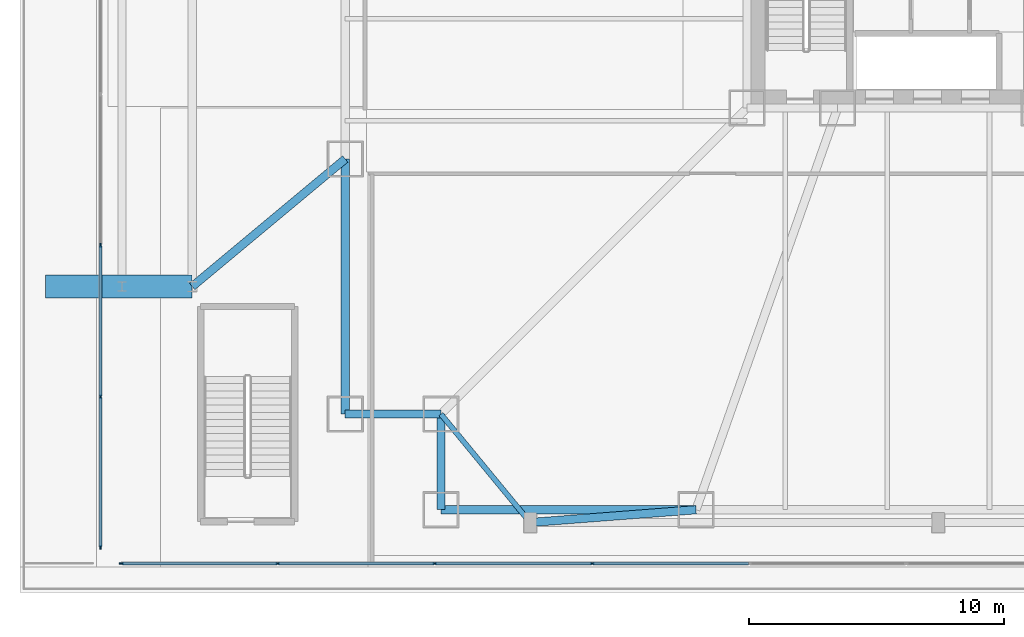
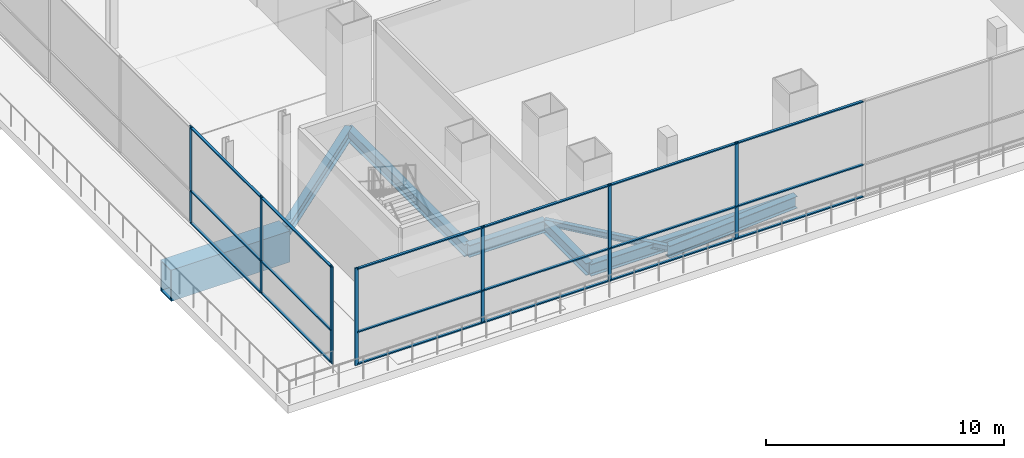
# One storey, part 5 of 36: 25 members, 8 beams, 2 elements without a shape of their own.
"""IFC4 building model written with IfcOpenShell, lengths in metres."""

import ifcopenshell
import ifcopenshell.guid

model = None  # the IFC model being written
_history = None  # IfcOwnerHistory: only IFC2X3 demands one
_inside = {}  # id of a spatial element -> (the spatial element, [elements in it])
_under = {}  # id of a project, library or spatial element -> (it, [spatial elements below it])
_declared = {}  # id of a project -> (the project, [libraries it declares])
_typed = {}  # id of a type object -> (the type object, [elements of that type])
_made_of = {}  # id of a material, layer set ... -> (it, [elements and type objects made of it])


def new_model(schema):
    """Start an empty IFC model of exactly this schema.

    Asked for "IFC4X3", IfcOpenShell would pick the latest addendum, in which some entities
    have other attributes; the version numbers below select the first issue.
    IFC2X3 requires an IfcOwnerHistory on every rooted entity: one is made here for all.
    """
    global model, _history
    if schema == "IFC4X3":
        model = ifcopenshell.file(schema_version=(4, 3, 0, 0))
    else:
        model = ifcopenshell.file(schema=schema)
    _inside.clear()
    _under.clear()
    _declared.clear()
    _typed.clear()
    _made_of.clear()
    _history = None
    if model.schema == "IFC2X3":
        org = make("IfcOrganization", Name="unknown")
        user = make(
            "IfcPersonAndOrganization",
            ThePerson=make("IfcPerson", FamilyName="unknown"),
            TheOrganization=org,
        )
        app = make(
            "IfcApplication",
            ApplicationDeveloper=org,
            Version="unknown",
            ApplicationFullName="unknown",
            ApplicationIdentifier="unknown",
        )
        _history = make(
            "IfcOwnerHistory",
            OwningUser=user,
            OwningApplication=app,
            ChangeAction="ADDED",
            CreationDate=0,
        )
    return model


def make(cls, **values):
    """One entity of the class cls with the attributes given. An attribute that is None is left unset."""
    return model.create_entity(
        cls, **{name: value for name, value in values.items() if value is not None}
    )


def rooted(cls, **values):
    """An entity with a GlobalId (a new one), such as an element, a storey or a relation."""
    return make(cls, GlobalId=ifcopenshell.guid.new(), OwnerHistory=_history, **values)


def si_unit(unit_type, name, prefix=None):
    """IfcSIUnit, for example si_unit("LENGTHUNIT", "METRE", prefix="MILLI")."""
    return make("IfcSIUnit", UnitType=unit_type, Prefix=prefix, Name=name)


def assignment(units):
    """IfcUnitAssignment: the units of a project."""
    return None if units is None else make("IfcUnitAssignment", Units=units)


def point(xyz):
    """IfcCartesianPoint."""
    return None if xyz is None else make("IfcCartesianPoint", Coordinates=xyz)


def direction(xyz):
    """IfcDirection."""
    return None if xyz is None else make("IfcDirection", DirectionRatios=xyz)


def frame(location, z_axis=None, x_axis=None):
    """IfcAxis2Placement3D, a coordinate frame: its origin and axes. An axis left out is left unset."""
    return make(
        "IfcAxis2Placement3D",
        Location=point(location),
        Axis=direction(z_axis),
        RefDirection=direction(x_axis),
    )


def frame_2d(location, x_axis=None):
    """IfcAxis2Placement2D, a coordinate frame in the plane: its origin and x axis."""
    return make(
        "IfcAxis2Placement2D", Location=point(location), RefDirection=direction(x_axis)
    )


def origin():
    """The frame at (0, 0, 0) with its axes left unset."""
    return frame((0.0, 0.0, 0.0))


def origin_2d():
    """The frame at (0, 0) in the plane with its x axis left unset."""
    return frame_2d((0.0, 0.0))


def place(relative_to, where):
    """IfcLocalPlacement: puts the frame where relative to a parent placement (None: the world)."""
    return make(
        "IfcLocalPlacement", PlacementRelTo=relative_to, RelativePlacement=where
    )


def context(
    kind, dimensions, precision=None, world=None, true_north=None, identifier=None
):
    """IfcGeometricRepresentationContext, for example the 3D "Model" context."""
    return make(
        "IfcGeometricRepresentationContext",
        ContextIdentifier=identifier,
        ContextType=kind,
        CoordinateSpaceDimension=dimensions,
        Precision=precision,
        WorldCoordinateSystem=world,
        TrueNorth=true_north,
    )


def subcontext(parent, identifier, kind, view, scale=None):
    """IfcGeometricRepresentationSubContext, for example "Body" below "Model"."""
    return make(
        "IfcGeometricRepresentationSubContext",
        ContextIdentifier=identifier,
        ContextType=kind,
        ParentContext=parent,
        TargetScale=scale,
        TargetView=view,
    )


def project(units=None, contexts=None):
    """IfcProject with its units and contexts."""
    return rooted(
        "IfcProject",
        Name="project",
        RepresentationContexts=contexts,
        UnitsInContext=assignment(units),
    )


def spatial(cls, under=None, at=None, **own):
    """A site, building, storey or space (cls), placed at a placement, below another one or the project."""
    s = rooted(cls, ObjectPlacement=at, **own)
    if under is not None:
        _under.setdefault(under.id(), (under, []))[1].append(s)
    return s


def profile(cls, at=None, kind="AREA", **sizes):
    """A parametric profile (cls). Its sizes go by their IFC names, for example OverallWidth=200.0."""
    return make(cls, ProfileType=kind, Position=at, **sizes)


def rectangle(**sizes):
    """IfcRectangleProfileDef."""
    return profile("IfcRectangleProfileDef", **sizes)


def hollow_rectangle(**sizes):
    """IfcRectangleHollowProfileDef."""
    return profile("IfcRectangleHollowProfileDef", **sizes)


def i_section(**sizes):
    """IfcIShapeProfileDef."""
    return profile("IfcIShapeProfileDef", **sizes)


def extrude(swept, where, along, depth):
    """IfcExtrudedAreaSolid: the profile swept, set in the frame where, extruded along a direction by depth."""
    return make(
        "IfcExtrudedAreaSolid",
        SweptArea=swept,
        Position=where,
        ExtrudedDirection=direction(along),
        Depth=depth,
    )


def shape(context_of_items, identifier, shape_type, items):
    """IfcShapeRepresentation: the items that make up one representation, for example the "Body"."""
    return make(
        "IfcShapeRepresentation",
        ContextOfItems=context_of_items,
        RepresentationIdentifier=identifier,
        RepresentationType=shape_type,
        Items=items,
    )


def material(Name=None, Category=None):
    """IfcMaterial."""
    return make("IfcMaterial", Name=Name, Category=Category)


def layer(
    of_material, thickness, ventilated=None, Name=None, Category=None, Priority=None
):
    """IfcMaterialLayer: one layer of a wall or slab, of a material (None: an air gap)."""
    return make(
        "IfcMaterialLayer",
        Material=of_material,
        LayerThickness=thickness,
        IsVentilated=ventilated,
        Name=Name,
        Category=Category,
        Priority=Priority,
    )


def layer_set(layers, Name=None):
    """IfcMaterialLayerSet."""
    return make("IfcMaterialLayerSet", MaterialLayers=layers, LayerSetName=Name)


def material_profile(
    of_material, cross_section, Name=None, Category=None, Priority=None
):
    """IfcMaterialProfile: a cross section and its material."""
    return make(
        "IfcMaterialProfile",
        Name=Name,
        Material=of_material,
        Profile=cross_section,
        Priority=Priority,
        Category=Category,
    )


def profile_set(profiles, Name=None, composite=None):
    """IfcMaterialProfileSet."""
    return make(
        "IfcMaterialProfileSet",
        Name=Name,
        MaterialProfiles=profiles,
        CompositeProfile=composite,
    )


def made_of(thing, what):
    """Note that an element or type object is made of a material, layer set ...; save() writes the relation."""
    if what is not None:
        _made_of.setdefault(what.id(), (what, []))[1].append(thing)
    return thing


def type_object(cls, material=None, **own):
    """A type object (cls), such as IfcWallType, which elements share."""
    return made_of(rooted(cls, **own), material)


def element(
    cls,
    number,
    at=None,
    inside=None,
    cuts=None,
    type_object=None,
    material=None,
    context=None,
    identifier="Body",
    shape_type=None,
    held_by="IfcProductDefinitionShape",
    body=None,
    shapes=None,
    **own,
):
    """One element of the class cls, such as IfcWall. Its Tag is "e" and its number.

    at: its placement. inside: the storey or other place that contains it. cuts: it is an
    opening in that element (IfcRelVoidsElement). A single representation is given by context,
    identifier, shape_type and body (its items); several are given by shapes. held_by: the class
    of the entity that holds the representations. save() writes the other relations.
    """
    e = rooted(cls, Tag="e%d" % number, ObjectPlacement=at, **own)
    if body is not None:
        shapes = [shape(context, identifier, shape_type, body)]
    if shapes is not None:
        e.Representation = make(held_by, Representations=shapes)
    if inside is not None:
        _inside.setdefault(inside.id(), (inside, []))[1].append(e)
    if cuts is not None:
        rooted(
            "IfcRelVoidsElement", RelatingBuildingElement=cuts, RelatedOpeningElement=e
        )
    if type_object is not None:
        _typed.setdefault(type_object.id(), (type_object, []))[1].append(e)
    return made_of(e, material)


def aggregate(whole, parts):
    """IfcRelAggregates: a whole, such as a stair, and the parts it consists of."""
    return rooted("IfcRelAggregates", RelatingObject=whole, RelatedObjects=parts)


def save(model, path):
    """Write the relations noted so far, then the file.

    IfcRelAggregates (storeys below a building ...), IfcRelContainedInSpatialStructure (elements
    in a storey), IfcRelDefinesByType, IfcRelAssociatesMaterial and IfcRelDeclares: one each for
    every whole, place, type object, material and project.
    """
    for whole, parts in _under.values():
        aggregate(whole, parts)
    for where, things in _inside.values():
        rooted(
            "IfcRelContainedInSpatialStructure",
            RelatedElements=things,
            RelatingStructure=where,
        )
    for kind, things in _typed.values():
        rooted("IfcRelDefinesByType", RelatedObjects=things, RelatingType=kind)
    for what, things in _made_of.values():
        rooted("IfcRelAssociatesMaterial", RelatedObjects=things, RelatingMaterial=what)
    for by, libraries in _declared.values():
        rooted("IfcRelDeclares", RelatingContext=by, RelatedDefinitions=libraries)
    model.write(path)


model = new_model("IFC4")

# Units and contexts
model_context = context("Model", 3, precision=1e-05, world=origin(), true_north=direction((0.0, 1.0)))
body_context = subcontext(model_context, "Body", "Model", "MODEL_VIEW")
ifc_project = project(units=[si_unit("LENGTHUNIT", "METRE"), si_unit("AREAUNIT", "SQUARE_METRE"), si_unit("VOLUMEUNIT", "CUBIC_METRE"), si_unit("PLANEANGLEUNIT", "RADIAN"), si_unit("MASSUNIT", "GRAM", prefix="KILO")], contexts=[model_context])

# Site, building, storey
site_placement = place(None, origin())
site = spatial("IfcSite", under=ifc_project, at=site_placement, CompositionType="ELEMENT")
building_placement = place(site_placement, origin())
building = spatial("IfcBuilding", under=site, at=building_placement, Name="Trevonay Congress Spire", CompositionType="ELEMENT")
storey_placement = place(building_placement, frame((0.0, 0.0, 16.199951171875)))
storey = spatial("IfcBuildingStorey", under=building, at=storey_placement, Name="L03", CompositionType="ELEMENT", Elevation=16.199951171875)

# Beams
ifc_material_1 = material(Name="Steel ASTM A572 Grade 50", Category="steel")
ifc_material_profile_1 = material_profile(ifc_material_1, i_section(OverallWidth=0.324951171875, OverallDepth=0.615966796875, WebThickness=0.013916015625, FlangeThickness=0.021484375, FilletRadius=0.01806640625, at=origin_2d()), Name="W610x174")
ifc_profile_set_1 = profile_set([ifc_material_profile_1], Name="Steel ASTM A572 Grade 50")
beam_type_1 = type_object("IfcBeamType", Name="BM-GIRD-W610X174", PredefinedType="BEAM", material=ifc_profile_set_1)
beam_1_placement = place(storey_placement, frame((-19.5, -23.25, -0.7080078125), z_axis=(1.0, 0.0, 0.0), x_axis=(0.0, 1.0, 0.0)))
element("IfcBeam", 1, at=beam_1_placement, inside=storey, type_object=beam_type_1, Name="L03 structural beam BM-L03-MS1", PredefinedType="BEAM", context=body_context, shape_type="SweptSolid", body=[
    extrude(i_section(OverallWidth=0.324951171875, OverallDepth=0.615966796875, WebThickness=0.013916015625, FlangeThickness=0.021484375, FilletRadius=0.01806640625, at=origin_2d()), origin(), (0.0, 0.0, 1.0), 10.0),
])
beam_2_placement = place(storey_placement, frame((-19.5, -23.25, -0.7080078125), z_axis=(0.0, 1.0, 0.0), x_axis=(-1.0, 0.0, 0.0)))
element("IfcBeam", 2, at=beam_2_placement, inside=storey, type_object=beam_type_1, Name="L03 structural beam BM-L03-CSW", PredefinedType="BEAM", context=body_context, shape_type="SweptSolid", body=[
    extrude(i_section(OverallWidth=0.324951171875, OverallDepth=0.615966796875, WebThickness=0.013916015625, FlangeThickness=0.021484375, FilletRadius=0.01806640625, at=origin_2d()), origin(), (0.0, 0.0, 1.0), 3.75),
])
beam_3_placement = place(storey_placement, frame((-23.25, -19.5, -0.7080078125), z_axis=(0.0, 1.0, 0.0), x_axis=(-1.0, 0.0, 0.0)))
element("IfcBeam", 3, at=beam_3_placement, inside=storey, type_object=beam_type_1, Name="L03 structural beam BM-L03-MW1", PredefinedType="BEAM", context=body_context, shape_type="SweptSolid", body=[
    extrude(i_section(OverallWidth=0.324951171875, OverallDepth=0.615966796875, WebThickness=0.013916015625, FlangeThickness=0.021484375, FilletRadius=0.01806640625, at=origin_2d()), origin(), (0.0, 0.0, 1.0), 10.0),
])
beam_4_placement = place(storey_placement, frame((-23.25, -19.5, -0.7080078125), z_axis=(1.0, 0.0, 0.0), x_axis=(0.0, 1.0, 0.0)))
element("IfcBeam", 4, at=beam_4_placement, inside=storey, type_object=beam_type_1, Name="L03 structural beam BM-L03-CWS", PredefinedType="BEAM", context=body_context, shape_type="SweptSolid", body=[
    extrude(i_section(OverallWidth=0.324951171875, OverallDepth=0.615966796875, WebThickness=0.013916015625, FlangeThickness=0.021484375, FilletRadius=0.01806640625, at=origin_2d()), origin(), (0.0, 0.0, 1.0), 3.75),
])
beam_5_placement = place(storey_placement, frame((-23.25, -9.5, -0.7080078125), z_axis=(-0.768221279597, -0.640184399664, 0.0), x_axis=(0.640184399664, -0.768221279597, 0.0)))
element("IfcBeam", 5, at=beam_5_placement, inside=storey, type_object=beam_type_1, Name="L03 structural beam BM-L03-POD-WT1", PredefinedType="BEAM", context=body_context, shape_type="SweptSolid", body=[
    extrude(i_section(OverallWidth=0.324951171875, OverallDepth=0.615966796875, WebThickness=0.013916015625, FlangeThickness=0.021484375, FilletRadius=0.01806640625, at=origin_2d()), origin(), (0.0, 0.0, 1.0), 7.810302734375),
])
beam_6_placement = place(storey_placement, frame((-9.5, -23.25, -0.7080078125), z_axis=(-0.997054485502, -0.076696498885, 0.0), x_axis=(0.076696498885, -0.997054485502, 0.0)))
element("IfcBeam", 6, at=beam_6_placement, inside=storey, type_object=beam_type_1, Name="L03 structural beam BM-L03-PIL-TS1", PredefinedType="BEAM", context=body_context, shape_type="SweptSolid", body=[
    extrude(i_section(OverallWidth=0.324951171875, OverallDepth=0.615966796875, WebThickness=0.013916015625, FlangeThickness=0.021484375, FilletRadius=0.01806640625, at=origin_2d()), origin(), (0.0, 0.0, 1.0), 6.519287109375),
])
ifc_material_profile_2 = material_profile(ifc_material_1, hollow_rectangle(XDim=0.89990234375, YDim=1.60009765625, WallThickness=0.06005859375, at=origin_2d()), Name="BOX 1600x900x60")
ifc_profile_set_2 = profile_set([ifc_material_profile_2], Name="Steel ASTM A572 Grade 50")
beam_type_2 = type_object("IfcBeamType", Name="BM-XFER-BOX1600", PredefinedType="BEAM", material=ifc_profile_set_2)
beam_7_placement = place(storey_placement, frame((-29.25, -14.5, -1.199951171875), z_axis=(-1.0, 0.0, 0.0), x_axis=(0.0, -1.0, 0.0)))
element("IfcBeam", 7, at=beam_7_placement, inside=storey, type_object=beam_type_2, Name="L03 structural beam BM-L03-EXW-S", PredefinedType="BEAM", context=body_context, shape_type="SweptSolid", body=[
    extrude(hollow_rectangle(XDim=0.89990234375, YDim=1.60009765625, WallThickness=0.06005859375, at=origin_2d()), origin(), (0.0, 0.0, 1.0), 5.75),
])

# Curtain wall, members
ifc_material_2 = material(Name="Pale Anodised Aluminium EN AW-6063-T6", Category="aluminium")
ifc_layer = layer(ifc_material_2, 0.179931640625, Name="Pale Anodised Aluminium EN AW-6063-T6")
ifc_layer_set = layer_set([ifc_layer], Name="Pale Anodised Aluminium EN AW-6063-T6")
curtain_wall_type = type_object("IfcCurtainWallType", Name="CW-SYS01-PODIUM-PALE-METAL", PredefinedType="NOTDEFINED", material=ifc_layer_set)
curtain_wall_1_placement = place(storey_placement, origin())
curtain_wall_1 = element("IfcCurtainWall", 8, at=curtain_wall_1_placement, inside=storey, type_object=curtain_wall_type, Name="L03 W1 podium curtain wall", PredefinedType="NOTDEFINED")
ifc_material_profile_3 = material_profile(ifc_material_2, rectangle(XDim=0.06005859375, YDim=0.159912109375, at=origin_2d()), Name="CW-MULLION-160-ALUMINIUM")
ifc_profile_set_3 = profile_set([ifc_material_profile_3], Name="Pale Anodised Aluminium EN AW-6063-T6")
member_type_1 = type_object("IfcMemberType", Name="CW-MULLION-160-ALUMINIUM", PredefinedType="MULLION", material=ifc_profile_set_3)
member_1_placement = place(storey_placement, frame((-32.85009765625, -24.719970703125, 0.0), z_axis=(0.0, 0.0, 1.0), x_axis=(-1.0, 0.0, 0.0)))
member_1 = element("IfcMember", 9, at=member_1_placement, type_object=member_type_1, Name="CW01 mullion 1", PredefinedType="MULLION", context=body_context, shape_type="SweptSolid", body=[
    extrude(rectangle(XDim=0.06005859375, YDim=0.159912109375, at=origin_2d()), origin(), (0.0, 0.0, 1.0), 5.0),
])
member_2_placement = place(storey_placement, frame((-32.85009765625, -18.820068359375, 0.0), z_axis=(0.0, 0.0, 1.0), x_axis=(-1.0, 0.0, 0.0)))
member_2 = element("IfcMember", 10, at=member_2_placement, type_object=member_type_1, Name="CW01 mullion 2", PredefinedType="MULLION", context=body_context, shape_type="SweptSolid", body=[
    extrude(rectangle(XDim=0.06005859375, YDim=0.159912109375, at=origin_2d()), origin(), (0.0, 0.0, 1.0), 5.0),
])
member_3_placement = place(storey_placement, frame((-32.85009765625, -12.889892578125, 0.0), z_axis=(0.0, 0.0, 1.0), x_axis=(-1.0, 0.0, 0.0)))
member_3 = element("IfcMember", 11, at=member_3_placement, type_object=member_type_1, Name="CW01 mullion 3", PredefinedType="MULLION", context=body_context, shape_type="SweptSolid", body=[
    extrude(rectangle(XDim=0.06005859375, YDim=0.159912109375, at=origin_2d()), origin(), (0.0, 0.0, 1.0), 5.0),
])

curtain_wall_2_placement = place(storey_placement, origin())
curtain_wall_2 = element("IfcCurtainWall", 12, at=curtain_wall_2_placement, inside=storey, type_object=curtain_wall_type, Name="L03 S1 podium curtain wall", PredefinedType="NOTDEFINED")
member_4_placement = place(storey_placement, frame((-32.02001953125, -25.35009765625, 0.0), z_axis=(0.0, 0.0, 1.0), x_axis=(0.0, 1.0, 0.0)))
member_4 = element("IfcMember", 13, at=member_4_placement, type_object=member_type_1, Name="CW01 mullion 1", PredefinedType="MULLION", context=body_context, shape_type="SweptSolid", body=[
    extrude(rectangle(XDim=0.06005859375, YDim=0.159912109375, at=origin_2d()), origin(), (0.0, 0.0, 1.0), 5.0),
])
member_5_placement = place(storey_placement, frame((-25.8916015625, -25.35009765625, 0.0), z_axis=(0.0, 0.0, 1.0), x_axis=(0.0, 1.0, 0.0)))
member_5 = element("IfcMember", 14, at=member_5_placement, type_object=member_type_1, Name="CW01 mullion 2", PredefinedType="MULLION", context=body_context, shape_type="SweptSolid", body=[
    extrude(rectangle(XDim=0.06005859375, YDim=0.159912109375, at=origin_2d()), origin(), (0.0, 0.0, 1.0), 5.0),
])
member_6_placement = place(storey_placement, frame((-19.7333984375, -25.35009765625, 0.0), z_axis=(0.0, 0.0, 1.0), x_axis=(0.0, 1.0, 0.0)))
member_6 = element("IfcMember", 15, at=member_6_placement, type_object=member_type_1, Name="CW01 mullion 3", PredefinedType="MULLION", context=body_context, shape_type="SweptSolid", body=[
    extrude(rectangle(XDim=0.06005859375, YDim=0.159912109375, at=origin_2d()), origin(), (0.0, 0.0, 1.0), 5.0),
])
member_7_placement = place(storey_placement, frame((-13.574951171875, -25.35009765625, 0.0), z_axis=(0.0, 0.0, 1.0), x_axis=(0.0, 1.0, 0.0)))
member_7 = element("IfcMember", 16, at=member_7_placement, type_object=member_type_1, Name="CW01 mullion 4", PredefinedType="MULLION", context=body_context, shape_type="SweptSolid", body=[
    extrude(rectangle(XDim=0.06005859375, YDim=0.159912109375, at=origin_2d()), origin(), (0.0, 0.0, 1.0), 5.0),
])

# Member
ifc_material_profile_4 = material_profile(ifc_material_2, rectangle(XDim=0.1201171875, YDim=0.06005859375, at=origin_2d()), Name="CW-TRANSOM-120-ALUMINIUM")
ifc_profile_set_4 = profile_set([ifc_material_profile_4], Name="Pale Anodised Aluminium EN AW-6063-T6")
member_type_2 = type_object("IfcMemberType", Name="CW-TRANSOM-120-ALUMINIUM", PredefinedType="USERDEFINED", material=ifc_profile_set_4)
member_8_placement = place(storey_placement, frame((-32.85009765625, -24.68994140625, 0.06005859375), z_axis=(0.0, 1.0, 0.0), x_axis=(-1.0, 0.0, 0.0)))
member_8 = element("IfcMember", 17, at=member_8_placement, type_object=member_type_2, Name="CW01 transom 1.1", ObjectType="TRANSOM", PredefinedType="USERDEFINED", context=body_context, shape_type="SweptSolid", body=[
    extrude(rectangle(XDim=0.1201171875, YDim=0.06005859375, at=origin_2d()), origin(), (0.0, 0.0, 1.0), 5.83984375),
])

member_9_placement = place(storey_placement, frame((-32.85009765625, -24.68994140625, 1.699951171875), z_axis=(0.0, 1.0, 0.0), x_axis=(-1.0, 0.0, 0.0)))
member_9 = element("IfcMember", 18, at=member_9_placement, type_object=member_type_2, Name="CW01 transom 1.2", ObjectType="TRANSOM", PredefinedType="USERDEFINED", context=body_context, shape_type="SweptSolid", body=[
    extrude(rectangle(XDim=0.1201171875, YDim=0.06005859375, at=origin_2d()), origin(), (0.0, 0.0, 1.0), 5.83984375),
])

member_10_placement = place(storey_placement, frame((-32.85009765625, -24.68994140625, 4.93994140625), z_axis=(0.0, 1.0, 0.0), x_axis=(-1.0, 0.0, 0.0)))
member_10 = element("IfcMember", 19, at=member_10_placement, type_object=member_type_2, Name="CW01 transom 1.3", ObjectType="TRANSOM", PredefinedType="USERDEFINED", context=body_context, shape_type="SweptSolid", body=[
    extrude(rectangle(XDim=0.1201171875, YDim=0.06005859375, at=origin_2d()), origin(), (0.0, 0.0, 1.0), 5.83984375),
])

member_11_placement = place(storey_placement, frame((-32.85009765625, -18.7900390625, 0.06005859375), z_axis=(0.0, 1.0, 0.0), x_axis=(-1.0, 0.0, 0.0)))
member_11 = element("IfcMember", 20, at=member_11_placement, type_object=member_type_2, Name="CW01 transom 2.1", ObjectType="TRANSOM", PredefinedType="USERDEFINED", context=body_context, shape_type="SweptSolid", body=[
    extrude(rectangle(XDim=0.1201171875, YDim=0.06005859375, at=origin_2d()), origin(), (0.0, 0.0, 1.0), 5.8701171875),
])

member_12_placement = place(storey_placement, frame((-32.85009765625, -18.7900390625, 1.699951171875), z_axis=(0.0, 1.0, 0.0), x_axis=(-1.0, 0.0, 0.0)))
member_12 = element("IfcMember", 21, at=member_12_placement, type_object=member_type_2, Name="CW01 transom 2.2", ObjectType="TRANSOM", PredefinedType="USERDEFINED", context=body_context, shape_type="SweptSolid", body=[
    extrude(rectangle(XDim=0.1201171875, YDim=0.06005859375, at=origin_2d()), origin(), (0.0, 0.0, 1.0), 5.8701171875),
])

member_13_placement = place(storey_placement, frame((-32.85009765625, -18.7900390625, 4.93994140625), z_axis=(0.0, 1.0, 0.0), x_axis=(-1.0, 0.0, 0.0)))
member_13 = element("IfcMember", 22, at=member_13_placement, type_object=member_type_2, Name="CW01 transom 2.3", ObjectType="TRANSOM", PredefinedType="USERDEFINED", context=body_context, shape_type="SweptSolid", body=[
    extrude(rectangle(XDim=0.1201171875, YDim=0.06005859375, at=origin_2d()), origin(), (0.0, 0.0, 1.0), 5.8701171875),
])

aggregate(curtain_wall_1, [member_1, member_2, member_3, member_8, member_9, member_10, member_11, member_12, member_13])

member_14_placement = place(storey_placement, frame((-31.989990234375, -25.35009765625, 0.06005859375), z_axis=(1.0, 0.0, 0.0), x_axis=(0.0, 1.0, 0.0)))
member_14 = element("IfcMember", 23, at=member_14_placement, type_object=member_type_2, Name="CW01 transom 1.1", ObjectType="TRANSOM", PredefinedType="USERDEFINED", context=body_context, shape_type="SweptSolid", body=[
    extrude(rectangle(XDim=0.1201171875, YDim=0.06005859375, at=origin_2d()), origin(), (0.0, 0.0, 1.0), 6.068359375),
])

member_15_placement = place(storey_placement, frame((-31.989990234375, -25.35009765625, 1.699951171875), z_axis=(1.0, 0.0, 0.0), x_axis=(0.0, 1.0, 0.0)))
member_15 = element("IfcMember", 24, at=member_15_placement, type_object=member_type_2, Name="CW01 transom 1.2", ObjectType="TRANSOM", PredefinedType="USERDEFINED", context=body_context, shape_type="SweptSolid", body=[
    extrude(rectangle(XDim=0.1201171875, YDim=0.06005859375, at=origin_2d()), origin(), (0.0, 0.0, 1.0), 6.068359375),
])

member_16_placement = place(storey_placement, frame((-31.989990234375, -25.35009765625, 4.93994140625), z_axis=(1.0, 0.0, 0.0), x_axis=(0.0, 1.0, 0.0)))
member_16 = element("IfcMember", 25, at=member_16_placement, type_object=member_type_2, Name="CW01 transom 1.3", ObjectType="TRANSOM", PredefinedType="USERDEFINED", context=body_context, shape_type="SweptSolid", body=[
    extrude(rectangle(XDim=0.1201171875, YDim=0.06005859375, at=origin_2d()), origin(), (0.0, 0.0, 1.0), 6.068359375),
])

member_17_placement = place(storey_placement, frame((-25.861572265625, -25.35009765625, 0.06005859375), z_axis=(1.0, 0.0, 0.0), x_axis=(0.0, 1.0, 0.0)))
member_17 = element("IfcMember", 26, at=member_17_placement, type_object=member_type_2, Name="CW01 transom 2.1", ObjectType="TRANSOM", PredefinedType="USERDEFINED", context=body_context, shape_type="SweptSolid", body=[
    extrude(rectangle(XDim=0.1201171875, YDim=0.06005859375, at=origin_2d()), origin(), (0.0, 0.0, 1.0), 6.09814453125),
])

member_18_placement = place(storey_placement, frame((-25.861572265625, -25.35009765625, 1.699951171875), z_axis=(1.0, 0.0, 0.0), x_axis=(0.0, 1.0, 0.0)))
member_18 = element("IfcMember", 27, at=member_18_placement, type_object=member_type_2, Name="CW01 transom 2.2", ObjectType="TRANSOM", PredefinedType="USERDEFINED", context=body_context, shape_type="SweptSolid", body=[
    extrude(rectangle(XDim=0.1201171875, YDim=0.06005859375, at=origin_2d()), origin(), (0.0, 0.0, 1.0), 6.09814453125),
])

member_19_placement = place(storey_placement, frame((-25.861572265625, -25.35009765625, 4.93994140625), z_axis=(1.0, 0.0, 0.0), x_axis=(0.0, 1.0, 0.0)))
member_19 = element("IfcMember", 28, at=member_19_placement, type_object=member_type_2, Name="CW01 transom 2.3", ObjectType="TRANSOM", PredefinedType="USERDEFINED", context=body_context, shape_type="SweptSolid", body=[
    extrude(rectangle(XDim=0.1201171875, YDim=0.06005859375, at=origin_2d()), origin(), (0.0, 0.0, 1.0), 6.09814453125),
])

member_20_placement = place(storey_placement, frame((-19.703369140625, -25.35009765625, 0.06005859375), z_axis=(1.0, 0.0, 0.0), x_axis=(0.0, 1.0, 0.0)))
member_20 = element("IfcMember", 29, at=member_20_placement, type_object=member_type_2, Name="CW01 transom 3.1", ObjectType="TRANSOM", PredefinedType="USERDEFINED", context=body_context, shape_type="SweptSolid", body=[
    extrude(rectangle(XDim=0.1201171875, YDim=0.06005859375, at=origin_2d()), origin(), (0.0, 0.0, 1.0), 6.098388671875),
])

member_21_placement = place(storey_placement, frame((-19.703369140625, -25.35009765625, 1.699951171875), z_axis=(1.0, 0.0, 0.0), x_axis=(0.0, 1.0, 0.0)))
member_21 = element("IfcMember", 30, at=member_21_placement, type_object=member_type_2, Name="CW01 transom 3.2", ObjectType="TRANSOM", PredefinedType="USERDEFINED", context=body_context, shape_type="SweptSolid", body=[
    extrude(rectangle(XDim=0.1201171875, YDim=0.06005859375, at=origin_2d()), origin(), (0.0, 0.0, 1.0), 6.098388671875),
])

member_22_placement = place(storey_placement, frame((-19.703369140625, -25.35009765625, 4.93994140625), z_axis=(1.0, 0.0, 0.0), x_axis=(0.0, 1.0, 0.0)))
member_22 = element("IfcMember", 31, at=member_22_placement, type_object=member_type_2, Name="CW01 transom 3.3", ObjectType="TRANSOM", PredefinedType="USERDEFINED", context=body_context, shape_type="SweptSolid", body=[
    extrude(rectangle(XDim=0.1201171875, YDim=0.06005859375, at=origin_2d()), origin(), (0.0, 0.0, 1.0), 6.098388671875),
])

member_23_placement = place(storey_placement, frame((-13.544921875, -25.35009765625, 0.06005859375), z_axis=(1.0, 0.0, 0.0), x_axis=(0.0, 1.0, 0.0)))
member_23 = element("IfcMember", 32, at=member_23_placement, type_object=member_type_2, Name="CW01 transom 4.1", ObjectType="TRANSOM", PredefinedType="USERDEFINED", context=body_context, shape_type="SweptSolid", body=[
    extrude(rectangle(XDim=0.1201171875, YDim=0.06005859375, at=origin_2d()), origin(), (0.0, 0.0, 1.0), 6.09814453125),
])

member_24_placement = place(storey_placement, frame((-13.544921875, -25.35009765625, 1.699951171875), z_axis=(1.0, 0.0, 0.0), x_axis=(0.0, 1.0, 0.0)))
member_24 = element("IfcMember", 33, at=member_24_placement, type_object=member_type_2, Name="CW01 transom 4.2", ObjectType="TRANSOM", PredefinedType="USERDEFINED", context=body_context, shape_type="SweptSolid", body=[
    extrude(rectangle(XDim=0.1201171875, YDim=0.06005859375, at=origin_2d()), origin(), (0.0, 0.0, 1.0), 6.09814453125),
])

member_25_placement = place(storey_placement, frame((-13.544921875, -25.35009765625, 4.93994140625), z_axis=(1.0, 0.0, 0.0), x_axis=(0.0, 1.0, 0.0)))
member_25 = element("IfcMember", 34, at=member_25_placement, type_object=member_type_2, Name="CW01 transom 4.3", ObjectType="TRANSOM", PredefinedType="USERDEFINED", context=body_context, shape_type="SweptSolid", body=[
    extrude(rectangle(XDim=0.1201171875, YDim=0.06005859375, at=origin_2d()), origin(), (0.0, 0.0, 1.0), 6.09814453125),
])

aggregate(curtain_wall_2, [member_4, member_5, member_6, member_7, member_14, member_15, member_16, member_17, member_18, member_19, member_20, member_21, member_22, member_23, member_24, member_25])

# Beam
ifc_material_profile_5 = material_profile(ifc_material_1, i_section(OverallWidth=0.2041015625, OverallDepth=0.305908203125, WebThickness=0.008544921875, FlangeThickness=0.0146484375, FilletRadius=0.010986328125, at=origin_2d()), Name="W310x67")
ifc_profile_set_5 = profile_set([ifc_material_profile_5], Name="Steel ASTM A572 Grade 50")
beam_type_3 = type_object("IfcBeamType", Name="SPB-W310X67", PredefinedType="SPANDREL", material=ifc_profile_set_5)
beam_8_placement = place(storey_placement, frame((-16.0, -23.75, -0.552978515625), z_axis=(-0.635707252861, 0.771930235617, 0.0), x_axis=(-0.771930235617, -0.635707252861, 0.0)))
element("IfcBeam", 35, at=beam_8_placement, inside=storey, type_object=beam_type_3, Name="L03 structural beam SPB-L03-SW", PredefinedType="SPANDREL", context=body_context, shape_type="SweptSolid", body=[
    extrude(i_section(OverallWidth=0.2041015625, OverallDepth=0.305908203125, WebThickness=0.008544921875, FlangeThickness=0.0146484375, FilletRadius=0.010986328125, at=origin_2d()), origin(), (0.0, 0.0, 1.0), 5.505615234375),
])

save(model, "model.ifc")
